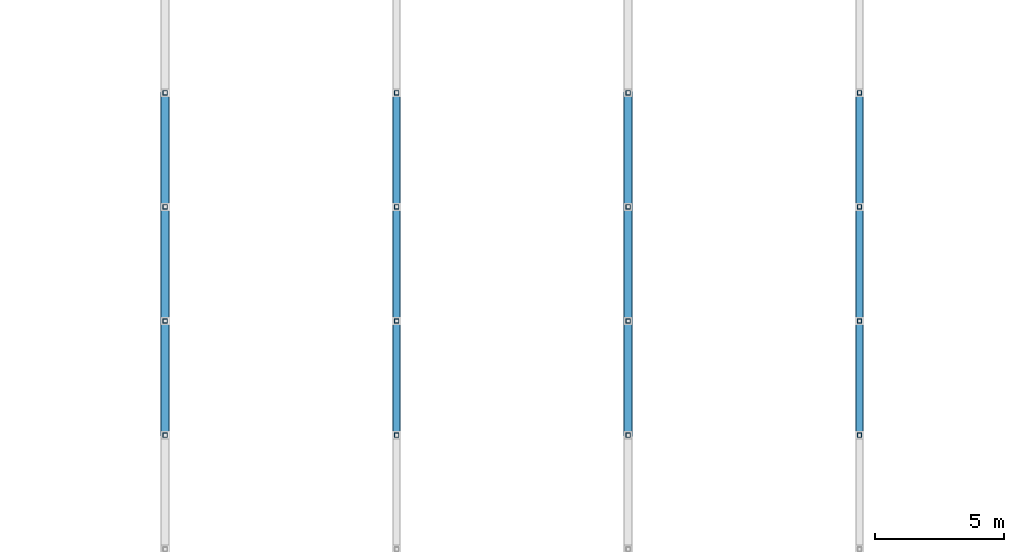
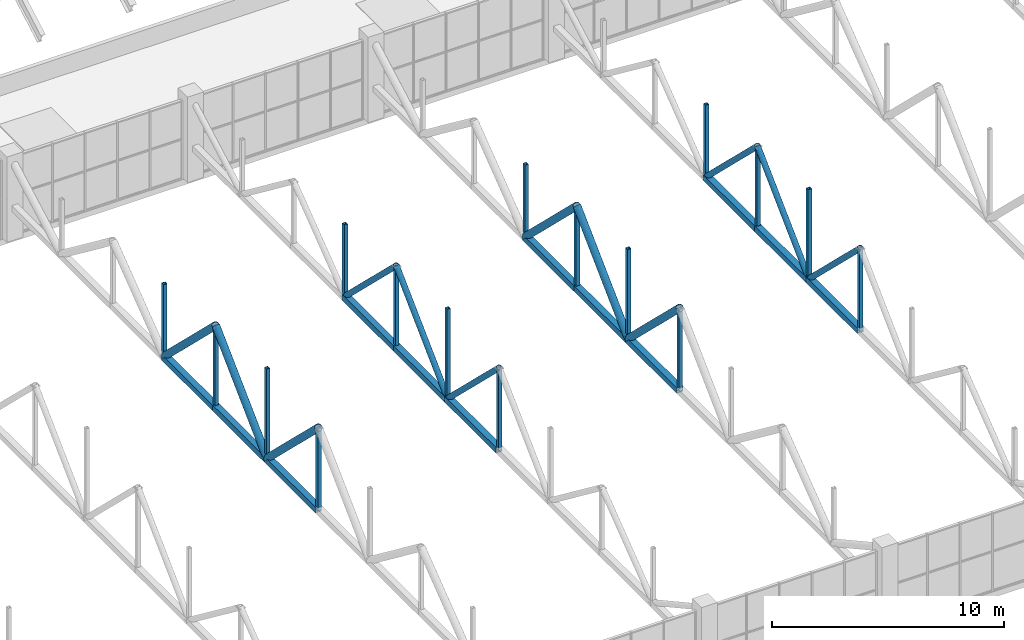
# One storey, part 20 of 103: 40 members.
"""IFC4 building model written with IfcOpenShell, lengths in metres."""

from ifc_helpers import new_model, si_unit, direction, frame, origin, origin_2d, place, context, subcontext, project, spatial, hollow_rectangle, hollow_circle, extrude, material, material_profile, profile_set, type_object, element, save


model = new_model("IFC4")

# Units and contexts
model_context = context("Model", 3, precision=1e-05, world=origin(), true_north=direction((0.0, 1.0)))
body_context = subcontext(model_context, "Body", "Model", "MODEL_VIEW")
ifc_project = project(units=[si_unit("LENGTHUNIT", "METRE"), si_unit("AREAUNIT", "SQUARE_METRE"), si_unit("VOLUMEUNIT", "CUBIC_METRE"), si_unit("PLANEANGLEUNIT", "RADIAN"), si_unit("MASSUNIT", "GRAM", prefix="KILO")], contexts=[model_context])

# Site, building, storey
site_placement = place(None, origin())
site = spatial("IfcSite", under=ifc_project, at=site_placement, CompositionType="ELEMENT")
building_placement = place(site_placement, origin())
building = spatial("IfcBuilding", under=site, at=building_placement, Name="Cazmaro Siding Exhibition Halls", CompositionType="ELEMENT")
storey_placement = place(building_placement, frame((0.0, 0.0, 16.5)))
storey = spatial("IfcBuildingStorey", under=building, at=storey_placement, Name="L03", CompositionType="ELEMENT", Elevation=16.5)

# Members
ifc_material_1 = material(Name="Steel ASTM A500 Grade C", Category="steel")
ifc_material_profile_1 = material_profile(ifc_material_1, hollow_rectangle(XDim=0.304931640625, YDim=0.304931640625, WallThickness=0.014892578125, at=origin_2d()), Name="HSS12X12X5/8")
ifc_profile_set_1 = profile_set([ifc_material_profile_1], Name="Steel ASTM A500 Grade C")
member_type_1 = type_object("IfcMemberType", Name="TC-02", PredefinedType="CHORD", material=ifc_profile_set_1)
for number, where, z_axis, x_axis, name in (
    (1, (99.0, 26.989990234375, 1.699951171875), (0.0, 1.0, 0.0), (-1.0, 0.0, 0.0), "Warren roof truss bottom chord TC-02 MEM-2432"),
    (2, (99.0, 31.425048828125, 1.699951171875), (0.0, 1.0, 0.0), (-1.0, 0.0, 0.0), "Warren roof truss bottom chord TC-02 MEM-2435"),
):
    element("IfcMember", number, at=place(storey_placement, frame(where, z_axis=z_axis, x_axis=x_axis)), inside=storey, type_object=member_type_1, Name=name, PredefinedType="CHORD", context=body_context, shape_type="SweptSolid", body=[
        extrude(hollow_rectangle(XDim=0.304931640625, YDim=0.304931640625, WallThickness=0.014892578125, at=origin_2d()), origin(), (0.0, 0.0, 1.0), 4.43505859375),
    ])
member_1_placement = place(storey_placement, frame((99.0, 35.860107421875, 1.699951171875), z_axis=(0.0, 1.0, 0.0), x_axis=(-1.0, 0.0, 0.0)))
element("IfcMember", 3, at=member_1_placement, inside=storey, type_object=member_type_1, Name="Warren roof truss bottom chord TC-02 MEM-2438", PredefinedType="CHORD", context=body_context, shape_type="SweptSolid", body=[
    extrude(hollow_rectangle(XDim=0.304931640625, YDim=0.304931640625, WallThickness=0.014892578125, at=origin_2d()), origin(), (0.0, 0.0, 1.0), 4.434814453125),
])
for number, where, z_axis, x_axis, name in (
    (4, (108.0, 26.989990234375, 1.699951171875), (0.0, 1.0, 0.0), (-1.0, 0.0, 0.0), "Warren roof truss bottom chord TC-02 MEM-2471"),
    (5, (108.0, 31.425048828125, 1.699951171875), (0.0, 1.0, 0.0), (-1.0, 0.0, 0.0), "Warren roof truss bottom chord TC-02 MEM-2474"),
):
    element("IfcMember", number, at=place(storey_placement, frame(where, z_axis=z_axis, x_axis=x_axis)), inside=storey, type_object=member_type_1, Name=name, PredefinedType="CHORD", context=body_context, shape_type="SweptSolid", body=[
        extrude(hollow_rectangle(XDim=0.304931640625, YDim=0.304931640625, WallThickness=0.014892578125, at=origin_2d()), origin(), (0.0, 0.0, 1.0), 4.43505859375),
    ])
member_2_placement = place(storey_placement, frame((108.0, 35.860107421875, 1.699951171875), z_axis=(0.0, 1.0, 0.0), x_axis=(-1.0, 0.0, 0.0)))
element("IfcMember", 6, at=member_2_placement, inside=storey, type_object=member_type_1, Name="Warren roof truss bottom chord TC-02 MEM-2477", PredefinedType="CHORD", context=body_context, shape_type="SweptSolid", body=[
    extrude(hollow_rectangle(XDim=0.304931640625, YDim=0.304931640625, WallThickness=0.014892578125, at=origin_2d()), origin(), (0.0, 0.0, 1.0), 4.434814453125),
])
for number, where, z_axis, x_axis, name in (
    (7, (117.0, 26.989990234375, 1.699951171875), (0.0, 1.0, 0.0), (-1.0, 0.0, 0.0), "Warren roof truss bottom chord TC-02 MEM-2510"),
    (8, (117.0, 31.425048828125, 1.699951171875), (0.0, 1.0, 0.0), (-1.0, 0.0, 0.0), "Warren roof truss bottom chord TC-02 MEM-2513"),
):
    element("IfcMember", number, at=place(storey_placement, frame(where, z_axis=z_axis, x_axis=x_axis)), inside=storey, type_object=member_type_1, Name=name, PredefinedType="CHORD", context=body_context, shape_type="SweptSolid", body=[
        extrude(hollow_rectangle(XDim=0.304931640625, YDim=0.304931640625, WallThickness=0.014892578125, at=origin_2d()), origin(), (0.0, 0.0, 1.0), 4.43505859375),
    ])
member_3_placement = place(storey_placement, frame((117.0, 35.860107421875, 1.699951171875), z_axis=(0.0, 1.0, 0.0), x_axis=(-1.0, 0.0, 0.0)))
element("IfcMember", 9, at=member_3_placement, inside=storey, type_object=member_type_1, Name="Warren roof truss bottom chord TC-02 MEM-2516", PredefinedType="CHORD", context=body_context, shape_type="SweptSolid", body=[
    extrude(hollow_rectangle(XDim=0.304931640625, YDim=0.304931640625, WallThickness=0.014892578125, at=origin_2d()), origin(), (0.0, 0.0, 1.0), 4.434814453125),
])
for number, where, z_axis, x_axis, name in (
    (10, (126.0, 26.989990234375, 1.699951171875), (0.0, 1.0, 0.0), (-1.0, 0.0, 0.0), "Warren roof truss bottom chord TC-02 MEM-2549"),
    (11, (126.0, 31.425048828125, 1.699951171875), (0.0, 1.0, 0.0), (-1.0, 0.0, 0.0), "Warren roof truss bottom chord TC-02 MEM-2552"),
):
    element("IfcMember", number, at=place(storey_placement, frame(where, z_axis=z_axis, x_axis=x_axis)), inside=storey, type_object=member_type_1, Name=name, PredefinedType="CHORD", context=body_context, shape_type="SweptSolid", body=[
        extrude(hollow_rectangle(XDim=0.304931640625, YDim=0.304931640625, WallThickness=0.014892578125, at=origin_2d()), origin(), (0.0, 0.0, 1.0), 4.43505859375),
    ])
member_4_placement = place(storey_placement, frame((126.0, 35.860107421875, 1.699951171875), z_axis=(0.0, 1.0, 0.0), x_axis=(-1.0, 0.0, 0.0)))
element("IfcMember", 12, at=member_4_placement, inside=storey, type_object=member_type_1, Name="Warren roof truss bottom chord TC-02 MEM-2555", PredefinedType="CHORD", context=body_context, shape_type="SweptSolid", body=[
    extrude(hollow_rectangle(XDim=0.304931640625, YDim=0.304931640625, WallThickness=0.014892578125, at=origin_2d()), origin(), (0.0, 0.0, 1.0), 4.434814453125),
])
ifc_material_2 = material(Name="Steel ASTM A500 Grade C", Category="steel")
ifc_material_profile_2 = material_profile(ifc_material_2, hollow_rectangle(XDim=0.177978515625, YDim=0.177978515625, WallThickness=0.011962890625, at=origin_2d()), Name="HSS7X7X1/2")
ifc_profile_set_2 = profile_set([ifc_material_profile_2], Name="Steel ASTM A500 Grade C")
member_type_2 = type_object("IfcMemberType", Name="TP-02", PredefinedType="POST", material=ifc_profile_set_2)
member_5_placement = place(storey_placement, frame((99.0, 26.989990234375, 1.699951171875), z_axis=(0.0, 0.0, 1.0), x_axis=(1.0, 0.0, 0.0)))
element("IfcMember", 13, at=member_5_placement, inside=storey, type_object=member_type_2, Name="Warren roof truss vertical TP-02 MEM-2452", PredefinedType="POST", context=body_context, shape_type="SweptSolid", body=[
    extrude(hollow_rectangle(XDim=0.177978515625, YDim=0.177978515625, WallThickness=0.011962890625, at=origin_2d()), origin(), (0.0, 0.0, 1.0), 4.304931640625),
])
member_6_placement = place(storey_placement, frame((99.0, 31.425048828125, 1.699951171875), z_axis=(0.0, 0.0, 1.0), x_axis=(1.0, 0.0, 0.0)))
element("IfcMember", 14, at=member_6_placement, inside=storey, type_object=member_type_2, Name="Warren roof truss vertical TP-02 MEM-2453", PredefinedType="POST", context=body_context, shape_type="SweptSolid", body=[
    extrude(hollow_rectangle(XDim=0.177978515625, YDim=0.177978515625, WallThickness=0.011962890625, at=origin_2d()), origin(), (0.0, 0.0, 1.0), 4.77099609375),
])
member_7_placement = place(storey_placement, frame((99.0, 35.860107421875, 1.699951171875), z_axis=(0.0, 0.0, 1.0), x_axis=(1.0, 0.0, 0.0)))
element("IfcMember", 15, at=member_7_placement, inside=storey, type_object=member_type_2, Name="Warren roof truss vertical TP-02 MEM-2454", PredefinedType="POST", context=body_context, shape_type="SweptSolid", body=[
    extrude(hollow_rectangle(XDim=0.177978515625, YDim=0.177978515625, WallThickness=0.011962890625, at=origin_2d()), origin(), (0.0, 0.0, 1.0), 4.304931640625),
])
member_8_placement = place(storey_placement, frame((99.0, 40.294921875, 1.699951171875), z_axis=(0.0, 0.0, 1.0), x_axis=(1.0, 0.0, 0.0)))
element("IfcMember", 16, at=member_8_placement, inside=storey, type_object=member_type_2, Name="Warren roof truss vertical TP-02 MEM-2455", PredefinedType="POST", context=body_context, shape_type="SweptSolid", body=[
    extrude(hollow_rectangle(XDim=0.177978515625, YDim=0.177978515625, WallThickness=0.011962890625, at=origin_2d()), origin(), (0.0, 0.0, 1.0), 3.839111328125),
])
member_9_placement = place(storey_placement, frame((108.0, 26.989990234375, 1.699951171875), z_axis=(0.0, 0.0, 1.0), x_axis=(1.0, 0.0, 0.0)))
element("IfcMember", 17, at=member_9_placement, inside=storey, type_object=member_type_2, Name="Warren roof truss vertical TP-02 MEM-2491", PredefinedType="POST", context=body_context, shape_type="SweptSolid", body=[
    extrude(hollow_rectangle(XDim=0.177978515625, YDim=0.177978515625, WallThickness=0.011962890625, at=origin_2d()), origin(), (0.0, 0.0, 1.0), 4.304931640625),
])
member_10_placement = place(storey_placement, frame((108.0, 31.425048828125, 1.699951171875), z_axis=(0.0, 0.0, 1.0), x_axis=(1.0, 0.0, 0.0)))
element("IfcMember", 18, at=member_10_placement, inside=storey, type_object=member_type_2, Name="Warren roof truss vertical TP-02 MEM-2492", PredefinedType="POST", context=body_context, shape_type="SweptSolid", body=[
    extrude(hollow_rectangle(XDim=0.177978515625, YDim=0.177978515625, WallThickness=0.011962890625, at=origin_2d()), origin(), (0.0, 0.0, 1.0), 4.77099609375),
])
member_11_placement = place(storey_placement, frame((108.0, 35.860107421875, 1.699951171875), z_axis=(0.0, 0.0, 1.0), x_axis=(1.0, 0.0, 0.0)))
element("IfcMember", 19, at=member_11_placement, inside=storey, type_object=member_type_2, Name="Warren roof truss vertical TP-02 MEM-2493", PredefinedType="POST", context=body_context, shape_type="SweptSolid", body=[
    extrude(hollow_rectangle(XDim=0.177978515625, YDim=0.177978515625, WallThickness=0.011962890625, at=origin_2d()), origin(), (0.0, 0.0, 1.0), 4.304931640625),
])
member_12_placement = place(storey_placement, frame((108.0, 40.294921875, 1.699951171875), z_axis=(0.0, 0.0, 1.0), x_axis=(1.0, 0.0, 0.0)))
element("IfcMember", 20, at=member_12_placement, inside=storey, type_object=member_type_2, Name="Warren roof truss vertical TP-02 MEM-2494", PredefinedType="POST", context=body_context, shape_type="SweptSolid", body=[
    extrude(hollow_rectangle(XDim=0.177978515625, YDim=0.177978515625, WallThickness=0.011962890625, at=origin_2d()), origin(), (0.0, 0.0, 1.0), 3.839111328125),
])
member_13_placement = place(storey_placement, frame((117.0, 26.989990234375, 1.699951171875), z_axis=(0.0, 0.0, 1.0), x_axis=(1.0, 0.0, 0.0)))
element("IfcMember", 21, at=member_13_placement, inside=storey, type_object=member_type_2, Name="Warren roof truss vertical TP-02 MEM-2530", PredefinedType="POST", context=body_context, shape_type="SweptSolid", body=[
    extrude(hollow_rectangle(XDim=0.177978515625, YDim=0.177978515625, WallThickness=0.011962890625, at=origin_2d()), origin(), (0.0, 0.0, 1.0), 4.304931640625),
])
member_14_placement = place(storey_placement, frame((117.0, 31.425048828125, 1.699951171875), z_axis=(0.0, 0.0, 1.0), x_axis=(1.0, 0.0, 0.0)))
element("IfcMember", 22, at=member_14_placement, inside=storey, type_object=member_type_2, Name="Warren roof truss vertical TP-02 MEM-2531", PredefinedType="POST", context=body_context, shape_type="SweptSolid", body=[
    extrude(hollow_rectangle(XDim=0.177978515625, YDim=0.177978515625, WallThickness=0.011962890625, at=origin_2d()), origin(), (0.0, 0.0, 1.0), 4.77099609375),
])
member_15_placement = place(storey_placement, frame((117.0, 35.860107421875, 1.699951171875), z_axis=(0.0, 0.0, 1.0), x_axis=(1.0, 0.0, 0.0)))
element("IfcMember", 23, at=member_15_placement, inside=storey, type_object=member_type_2, Name="Warren roof truss vertical TP-02 MEM-2532", PredefinedType="POST", context=body_context, shape_type="SweptSolid", body=[
    extrude(hollow_rectangle(XDim=0.177978515625, YDim=0.177978515625, WallThickness=0.011962890625, at=origin_2d()), origin(), (0.0, 0.0, 1.0), 4.304931640625),
])
member_16_placement = place(storey_placement, frame((117.0, 40.294921875, 1.699951171875), z_axis=(0.0, 0.0, 1.0), x_axis=(1.0, 0.0, 0.0)))
element("IfcMember", 24, at=member_16_placement, inside=storey, type_object=member_type_2, Name="Warren roof truss vertical TP-02 MEM-2533", PredefinedType="POST", context=body_context, shape_type="SweptSolid", body=[
    extrude(hollow_rectangle(XDim=0.177978515625, YDim=0.177978515625, WallThickness=0.011962890625, at=origin_2d()), origin(), (0.0, 0.0, 1.0), 3.839111328125),
])
member_17_placement = place(storey_placement, frame((126.0, 26.989990234375, 1.699951171875), z_axis=(0.0, 0.0, 1.0), x_axis=(1.0, 0.0, 0.0)))
element("IfcMember", 25, at=member_17_placement, inside=storey, type_object=member_type_2, Name="Warren roof truss vertical TP-02 MEM-2569", PredefinedType="POST", context=body_context, shape_type="SweptSolid", body=[
    extrude(hollow_rectangle(XDim=0.177978515625, YDim=0.177978515625, WallThickness=0.011962890625, at=origin_2d()), origin(), (0.0, 0.0, 1.0), 4.304931640625),
])
member_18_placement = place(storey_placement, frame((126.0, 31.425048828125, 1.699951171875), z_axis=(0.0, 0.0, 1.0), x_axis=(1.0, 0.0, 0.0)))
element("IfcMember", 26, at=member_18_placement, inside=storey, type_object=member_type_2, Name="Warren roof truss vertical TP-02 MEM-2570", PredefinedType="POST", context=body_context, shape_type="SweptSolid", body=[
    extrude(hollow_rectangle(XDim=0.177978515625, YDim=0.177978515625, WallThickness=0.011962890625, at=origin_2d()), origin(), (0.0, 0.0, 1.0), 4.77099609375),
])
member_19_placement = place(storey_placement, frame((126.0, 35.860107421875, 1.699951171875), z_axis=(0.0, 0.0, 1.0), x_axis=(1.0, 0.0, 0.0)))
element("IfcMember", 27, at=member_19_placement, inside=storey, type_object=member_type_2, Name="Warren roof truss vertical TP-02 MEM-2571", PredefinedType="POST", context=body_context, shape_type="SweptSolid", body=[
    extrude(hollow_rectangle(XDim=0.177978515625, YDim=0.177978515625, WallThickness=0.011962890625, at=origin_2d()), origin(), (0.0, 0.0, 1.0), 4.304931640625),
])
member_20_placement = place(storey_placement, frame((126.0, 40.294921875, 1.699951171875), z_axis=(0.0, 0.0, 1.0), x_axis=(1.0, 0.0, 0.0)))
element("IfcMember", 28, at=member_20_placement, inside=storey, type_object=member_type_2, Name="Warren roof truss vertical TP-02 MEM-2572", PredefinedType="POST", context=body_context, shape_type="SweptSolid", body=[
    extrude(hollow_rectangle(XDim=0.177978515625, YDim=0.177978515625, WallThickness=0.011962890625, at=origin_2d()), origin(), (0.0, 0.0, 1.0), 3.839111328125),
])
ifc_material_3 = material(Name="Steel ASTM A500 Grade C", Category="steel")
ifc_material_profile_3 = material_profile(ifc_material_3, hollow_circle(Radius=0.136474609375, WallThickness=0.012939453125, at=origin_2d()), Name="PIPE10XS")
ifc_profile_set_3 = profile_set([ifc_material_profile_3], Name="Steel ASTM A500 Grade C")
member_type_3 = type_object("IfcMemberType", Name="WB-02", PredefinedType="BRACE", material=ifc_profile_set_3)
for number, where, z_axis, x_axis, name in (
    (29, (108.0, 26.989990234375, 6.0048828125), (0.0, 0.717555143773, -0.696501698236), (-1.0, 0.0, 0.0), "Warren roof truss diagonal WB-02 MEM-2472"),
    (30, (108.0, 31.425048828125, 1.699951171875), (0.0, 0.717555143773, 0.696501698236), (-1.0, 0.0, 0.0), "Warren roof truss diagonal WB-02 MEM-2475"),
):
    element("IfcMember", number, at=place(storey_placement, frame(where, z_axis=z_axis, x_axis=x_axis)), inside=storey, type_object=member_type_3, Name=name, PredefinedType="BRACE", context=body_context, shape_type="SweptSolid", body=[
        extrude(hollow_circle(Radius=0.136474609375, WallThickness=0.012939453125, at=origin_2d()), origin(), (0.0, 0.0, 1.0), 6.180908203125),
    ])
member_21_placement = place(storey_placement, frame((108.0, 35.860107421875, 6.0048828125), z_axis=(0.0, 0.71753598098, -0.696521439726), x_axis=(-1.0, 0.0, 0.0)))
element("IfcMember", 31, at=member_21_placement, inside=storey, type_object=member_type_3, Name="Warren roof truss diagonal WB-02 MEM-2478", PredefinedType="BRACE", context=body_context, shape_type="SweptSolid", body=[
    extrude(hollow_circle(Radius=0.136474609375, WallThickness=0.012939453125, at=origin_2d()), origin(), (0.0, 0.0, 1.0), 6.1806640625),
])
for number, where, z_axis, x_axis, name in (
    (32, (126.0, 26.989990234375, 6.0048828125), (0.0, 0.717555143773, -0.696501698236), (-1.0, 0.0, 0.0), "Warren roof truss diagonal WB-02 MEM-2550"),
    (33, (126.0, 31.425048828125, 1.699951171875), (0.0, 0.717555143773, 0.696501698236), (-1.0, 0.0, 0.0), "Warren roof truss diagonal WB-02 MEM-2553"),
):
    element("IfcMember", number, at=place(storey_placement, frame(where, z_axis=z_axis, x_axis=x_axis)), inside=storey, type_object=member_type_3, Name=name, PredefinedType="BRACE", context=body_context, shape_type="SweptSolid", body=[
        extrude(hollow_circle(Radius=0.136474609375, WallThickness=0.012939453125, at=origin_2d()), origin(), (0.0, 0.0, 1.0), 6.180908203125),
    ])
member_22_placement = place(storey_placement, frame((126.0, 35.860107421875, 6.0048828125), z_axis=(0.0, 0.71753598098, -0.696521439726), x_axis=(-1.0, 0.0, 0.0)))
element("IfcMember", 34, at=member_22_placement, inside=storey, type_object=member_type_3, Name="Warren roof truss diagonal WB-02 MEM-2556", PredefinedType="BRACE", context=body_context, shape_type="SweptSolid", body=[
    extrude(hollow_circle(Radius=0.136474609375, WallThickness=0.012939453125, at=origin_2d()), origin(), (0.0, 0.0, 1.0), 6.1806640625),
])
ifc_material_4 = material(Name="Steel ASTM A500 Grade C", Category="steel")
ifc_material_profile_4 = material_profile(ifc_material_4, hollow_circle(Radius=0.177978515625, WallThickness=0.012939453125, at=origin_2d()), Name="PIPE14XS")
ifc_profile_set_4 = profile_set([ifc_material_profile_4], Name="Steel ASTM A500 Grade C")
member_type_4 = type_object("IfcMemberType", Name="WB-06", PredefinedType="BRACE", material=ifc_profile_set_4)
for number, where, z_axis, x_axis, name in (
    (35, (99.0, 26.989990234375, 6.0048828125), (0.0, 0.717555143773, -0.696501698236), (-1.0, 0.0, 0.0), "Warren roof truss diagonal WB-06 MEM-2433"),
    (36, (99.0, 31.425048828125, 1.699951171875), (0.0, 0.717555143773, 0.696501698236), (-1.0, 0.0, 0.0), "Warren roof truss diagonal WB-06 MEM-2436"),
):
    element("IfcMember", number, at=place(storey_placement, frame(where, z_axis=z_axis, x_axis=x_axis)), inside=storey, type_object=member_type_4, Name=name, PredefinedType="BRACE", context=body_context, shape_type="SweptSolid", body=[
        extrude(hollow_circle(Radius=0.177978515625, WallThickness=0.012939453125, at=origin_2d()), origin(), (0.0, 0.0, 1.0), 6.180908203125),
    ])
member_23_placement = place(storey_placement, frame((99.0, 35.860107421875, 6.0048828125), z_axis=(0.0, 0.71753598098, -0.696521439726), x_axis=(-1.0, 0.0, 0.0)))
element("IfcMember", 37, at=member_23_placement, inside=storey, type_object=member_type_4, Name="Warren roof truss diagonal WB-06 MEM-2439", PredefinedType="BRACE", context=body_context, shape_type="SweptSolid", body=[
    extrude(hollow_circle(Radius=0.177978515625, WallThickness=0.012939453125, at=origin_2d()), origin(), (0.0, 0.0, 1.0), 6.1806640625),
])
for number, where, z_axis, x_axis, name in (
    (38, (117.0, 26.989990234375, 6.0048828125), (0.0, 0.717555143773, -0.696501698236), (-1.0, 0.0, 0.0), "Warren roof truss diagonal WB-06 MEM-2511"),
    (39, (117.0, 31.425048828125, 1.699951171875), (0.0, 0.717555143773, 0.696501698236), (-1.0, 0.0, 0.0), "Warren roof truss diagonal WB-06 MEM-2514"),
):
    element("IfcMember", number, at=place(storey_placement, frame(where, z_axis=z_axis, x_axis=x_axis)), inside=storey, type_object=member_type_4, Name=name, PredefinedType="BRACE", context=body_context, shape_type="SweptSolid", body=[
        extrude(hollow_circle(Radius=0.177978515625, WallThickness=0.012939453125, at=origin_2d()), origin(), (0.0, 0.0, 1.0), 6.180908203125),
    ])
member_24_placement = place(storey_placement, frame((117.0, 35.860107421875, 6.0048828125), z_axis=(0.0, 0.71753598098, -0.696521439726), x_axis=(-1.0, 0.0, 0.0)))
element("IfcMember", 40, at=member_24_placement, inside=storey, type_object=member_type_4, Name="Warren roof truss diagonal WB-06 MEM-2517", PredefinedType="BRACE", context=body_context, shape_type="SweptSolid", body=[
    extrude(hollow_circle(Radius=0.177978515625, WallThickness=0.012939453125, at=origin_2d()), origin(), (0.0, 0.0, 1.0), 6.1806640625),
])

save(model, "model.ifc")
